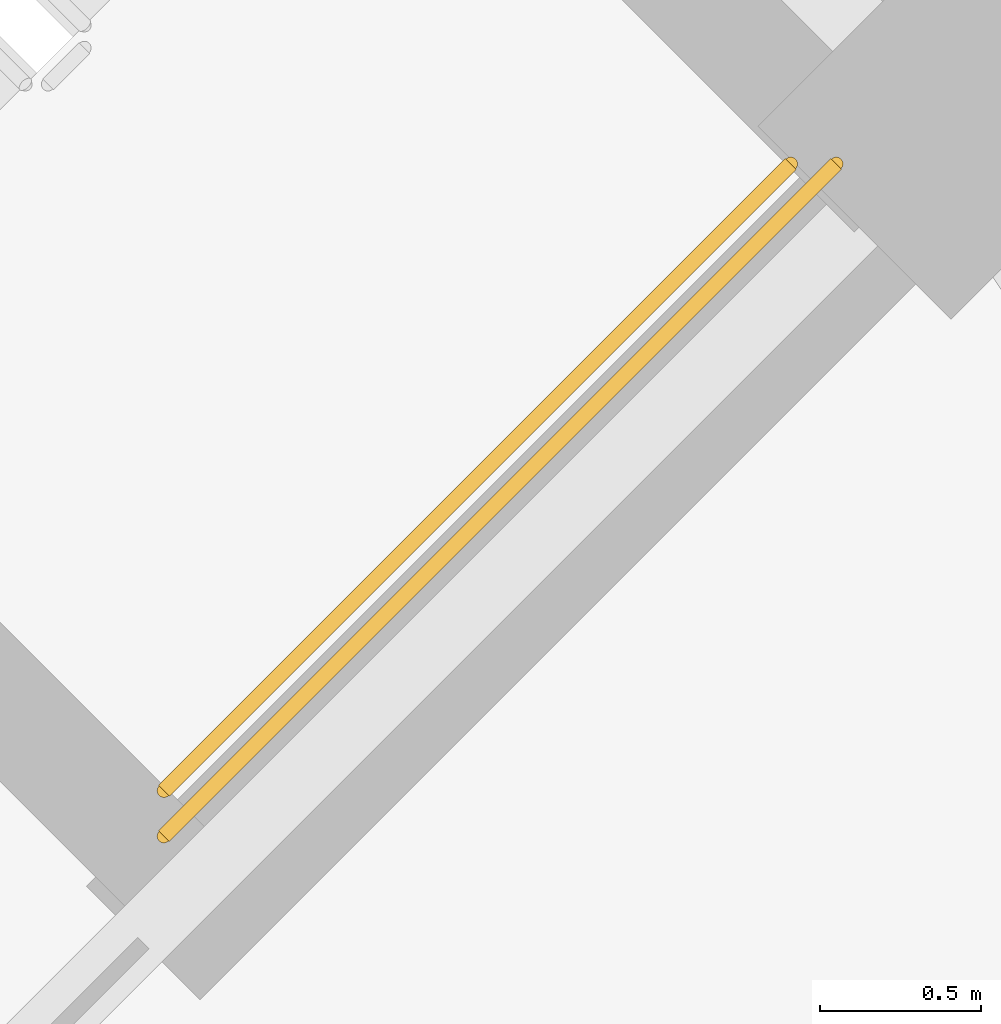
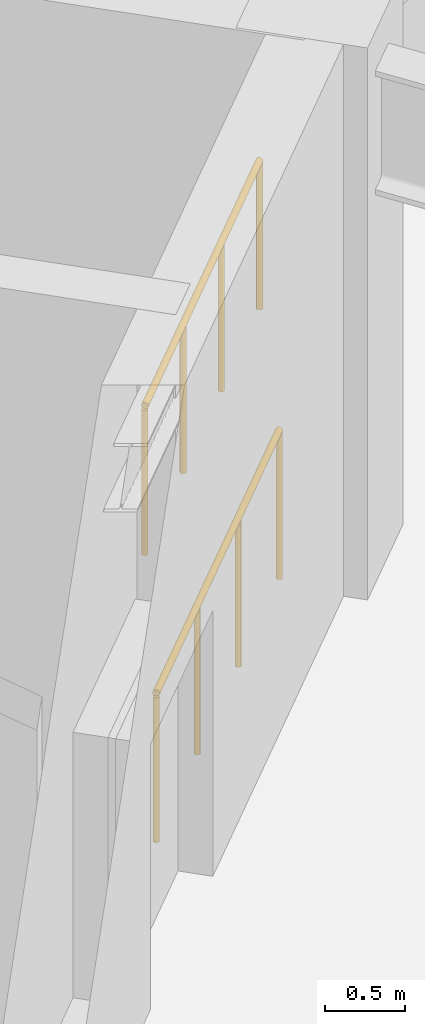
# One storey, part 20 of 20: 2 railings.
"""IFC4 building model written with IfcOpenShell, lengths in metres."""

from ifc_helpers import new_model, si_unit, direction, frame, origin, origin_2d, place, context, subcontext, project, spatial, circle, extrude, material, type_object, element, save


model = new_model("IFC4")

# Units and contexts
model_context = context("Model", 3, precision=1e-05, world=origin(), true_north=direction((0.0, 1.0)))
body_context = subcontext(model_context, "Body", "Model", "MODEL_VIEW")
ifc_project = project(units=[si_unit("LENGTHUNIT", "METRE"), si_unit("AREAUNIT", "SQUARE_METRE"), si_unit("VOLUMEUNIT", "CUBIC_METRE"), si_unit("PLANEANGLEUNIT", "RADIAN"), si_unit("MASSUNIT", "GRAM", prefix="KILO")], contexts=[model_context])

# Site, building, storey
site_placement = place(None, origin())
site = spatial("IfcSite", under=ifc_project, at=site_placement, CompositionType="ELEMENT")
building_placement = place(site_placement, origin())
building = spatial("IfcBuilding", under=site, at=building_placement, Name="Cununo Teusaquillo Station Towers", CompositionType="ELEMENT")
storey_placement = place(building_placement, frame((0.0, 0.0, 9.0)))
storey = spatial("IfcBuildingStorey", under=building, at=storey_placement, Name="L02", CompositionType="ELEMENT", Elevation=9.0)

# Railings
ifc_material = material(Name="Steel EN 10025-2 S355J2", Category="steel")
railing_type = type_object("IfcRailingType", Name="RL-INT-GUARD", PredefinedType="GUARDRAIL", material=ifc_material)
railing_1_placement = place(storey_placement, frame((63.573974609375, 21.22607421875, 2.10009765625)))
element("IfcRailing", 1, at=railing_1_placement, inside=storey, type_object=railing_type, Name="L02 ST-T2-2 stair guard 3", PredefinedType="GUARDRAIL", context=body_context, shape_type="SweptSolid", body=[
    extrude(circle(Radius=0.02392578125, at=origin_2d()), frame((0.0, 0.0, 1.1259765625), z_axis=(0.707106781187, 0.707106781187, 0.0), x_axis=(-0.707106781187, 0.707106781187, 0.0)), (0.0, 0.0, 1.0), 2.760009765625),
    extrude(circle(Radius=0.02099609375, at=origin_2d()), origin(), (0.0, 0.0, 1.0), 1.101806640625),
    extrude(circle(Radius=0.02099609375, at=origin_2d()), frame((0.650634765625, 0.650634765625, 0.0)), (0.0, 0.0, 1.0), 1.101806640625),
    extrude(circle(Radius=0.02099609375, at=origin_2d()), frame((1.301025390625, 1.301025390625, 0.0)), (0.0, 0.0, 1.0), 1.101806640625),
    extrude(circle(Radius=0.02099609375, at=origin_2d()), frame((1.95166015625, 1.95166015625, 0.0)), (0.0, 0.0, 1.0), 1.101806640625),
])
railing_2_placement = place(storey_placement, frame((63.573974609375, 21.084716796875, 0.0)))
element("IfcRailing", 2, at=railing_2_placement, inside=storey, type_object=railing_type, Name="L02 ST-T2-2 stair guard 6", PredefinedType="GUARDRAIL", context=body_context, shape_type="SweptSolid", body=[
    extrude(circle(Radius=0.02392578125, at=origin_2d()), frame((0.0, 0.0, 1.1259765625), z_axis=(0.707106781187, 0.707106781187, 0.0), x_axis=(-0.707106781187, 0.707106781187, 0.0)), (0.0, 0.0, 1.0), 2.9599609375),
    extrude(circle(Radius=0.02099609375, at=origin_2d()), origin(), (0.0, 0.0, 1.0), 1.101806640625),
    extrude(circle(Radius=0.02099609375, at=origin_2d()), frame((0.69775390625, 0.69775390625, 0.0)), (0.0, 0.0, 1.0), 1.101806640625),
    extrude(circle(Radius=0.02099609375, at=origin_2d()), frame((1.395263671875, 1.395263671875, 0.0)), (0.0, 0.0, 1.0), 1.101806640625),
    extrude(circle(Radius=0.02099609375, at=origin_2d()), frame((2.093017578125, 2.093017578125, 0.0)), (0.0, 0.0, 1.0), 1.101806640625),
])

save(model, "model.ifc")
